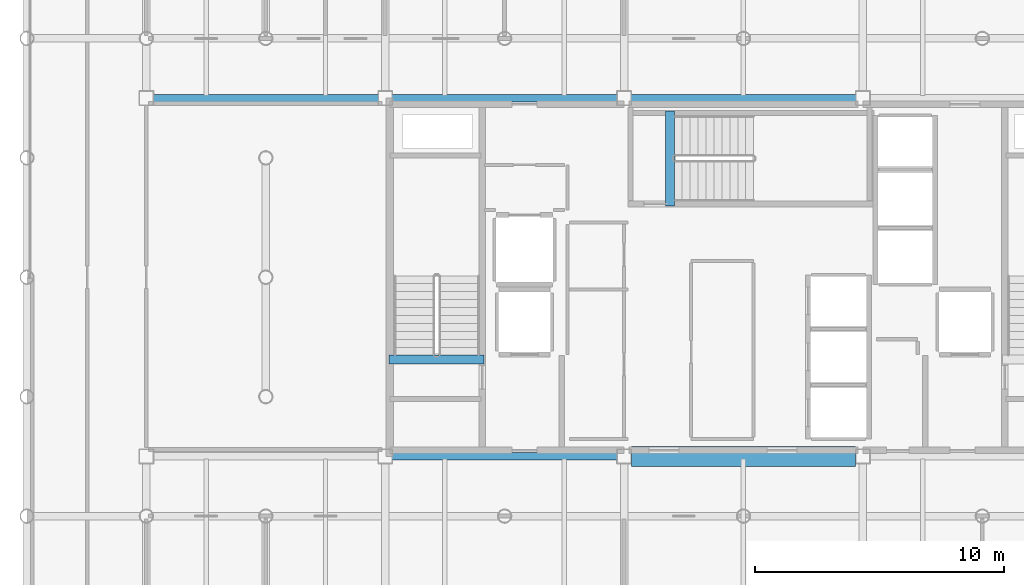
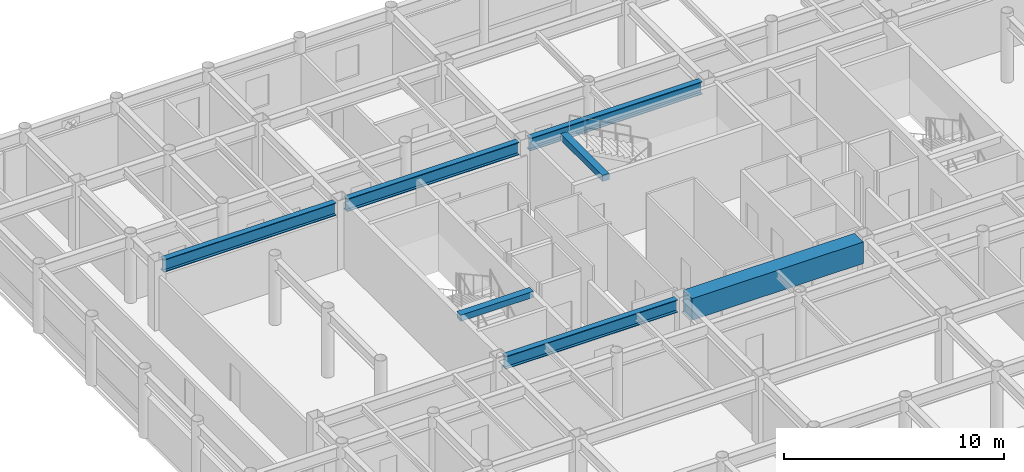
# One storey, part 7 of 21: 7 beams.
"""IFC4 building model written with IfcOpenShell, lengths in metres."""

from ifc_helpers import new_model, si_unit, direction, frame, origin, origin_2d, place, context, subcontext, project, spatial, rectangle, i_section, extrude, material, material_profile, profile_set, type_object, element, save


model = new_model("IFC4")

# Units and contexts
model_context = context("Model", 3, precision=1e-05, world=origin(), true_north=direction((0.0, 1.0)))
body_context = subcontext(model_context, "Body", "Model", "MODEL_VIEW")
ifc_project = project(units=[si_unit("LENGTHUNIT", "METRE"), si_unit("AREAUNIT", "SQUARE_METRE"), si_unit("VOLUMEUNIT", "CUBIC_METRE"), si_unit("PLANEANGLEUNIT", "RADIAN"), si_unit("MASSUNIT", "GRAM", prefix="KILO")], contexts=[model_context])

# Site, building, storey
site_placement = place(None, origin())
site = spatial("IfcSite", under=ifc_project, at=site_placement, CompositionType="ELEMENT")
building_placement = place(site_placement, origin())
building = spatial("IfcBuilding", under=site, at=building_placement, Name="Kallvorn Hotel Tower", CompositionType="ELEMENT")
storey_placement = place(building_placement, frame((0.0, 0.0, 214.60009765625)))
storey = spatial("IfcBuildingStorey", under=building, at=storey_placement, Name="L53", CompositionType="ELEMENT", Elevation=214.60009765625)

# Beams
ifc_material_1 = material(Name="Structural steel S355JR", Category="steel")
ifc_material_profile_1 = material_profile(ifc_material_1, i_section(OverallWidth=0.300048828125, OverallDepth=0.699951171875, WebThickness=0.01708984375, FlangeThickness=0.031982421875, at=origin_2d()), Name="HE 700 B")
ifc_profile_set_1 = profile_set([ifc_material_profile_1], Name="Structural steel S355JR")
beam_type_1 = type_object("IfcBeamType", Name="BM_HE700B", PredefinedType="BEAM", material=ifc_profile_set_1)
for number, where, z_axis, x_axis, name in (
    (1, (-14.125, -7.199951171875, 3.31982421875), (1.0, 0.0, 0.0), (0.0, 1.0, 0.0), "L54 Primary X-Girder 34"),
    (2, (-23.72509765625, 7.199951171875, 3.31982421875), (1.0, 0.0, 0.0), (0.0, 1.0, 0.0), "L54 Primary X-Girder 37"),
    (3, (-14.125, 7.199951171875, 3.31982421875), (1.0, 0.0, 0.0), (0.0, 1.0, 0.0), "L54 Primary X-Girder 38"),
):
    element("IfcBeam", number, at=place(storey_placement, frame(where, z_axis=z_axis, x_axis=x_axis)), inside=storey, type_object=beam_type_1, Name=name, PredefinedType="BEAM", context=body_context, shape_type="SweptSolid", body=[
        extrude(i_section(OverallWidth=0.300048828125, OverallDepth=0.699951171875, WebThickness=0.01708984375, FlangeThickness=0.031982421875, at=origin_2d()), origin(), (0.0, 0.0, 1.0), 9.050048828125),
    ])
beam_1_placement = place(storey_placement, frame((-4.52490234375, 7.199951171875, 3.31982421875), z_axis=(1.0, 0.0, 0.0), x_axis=(0.0, 1.0, 0.0)))
element("IfcBeam", 4, at=beam_1_placement, inside=storey, type_object=beam_type_1, Name="L54 Primary X-Girder 39", PredefinedType="BEAM", context=body_context, shape_type="SweptSolid", body=[
    extrude(i_section(OverallWidth=0.300048828125, OverallDepth=0.699951171875, WebThickness=0.01708984375, FlangeThickness=0.031982421875, at=origin_2d()), origin(), (0.0, 0.0, 1.0), 9.0498046875),
])
ifc_material_2 = material(Name="Concrete C50/60", Category="concrete")
ifc_material_profile_2 = material_profile(ifc_material_2, rectangle(XDim=0.360107421875, YDim=0.340087890625, at=origin_2d()), Name="RC 360x340")
ifc_profile_set_2 = profile_set([ifc_material_profile_2], Name="Concrete C50/60")
beam_type_2 = type_object("IfcBeamType", Name="BM_RC_400x360", PredefinedType="BEAM", material=ifc_profile_set_2)
beam_2_placement = place(storey_placement, frame((-10.419921875, -3.31005859375, 3.5), z_axis=(-1.0, 0.0, 0.0), x_axis=(0.0, -1.0, 0.0)))
element("IfcBeam", 5, at=beam_2_placement, inside=storey, type_object=beam_type_2, Name="L54 Stair ST1 Arrival Trimmer Beam", PredefinedType="BEAM", context=body_context, shape_type="SweptSolid", body=[
    extrude(rectangle(XDim=0.360107421875, YDim=0.340087890625, at=origin_2d()), origin(), (0.0, 0.0, 1.0), 3.820068359375),
])
beam_3_placement = place(storey_placement, frame((-2.9599609375, 2.8701171875, 3.5), z_axis=(0.0, 1.0, 0.0), x_axis=(-1.0, 0.0, 0.0)))
element("IfcBeam", 6, at=beam_3_placement, inside=storey, type_object=beam_type_2, Name="L54 Stair ST3 Arrival Trimmer Beam", PredefinedType="BEAM", context=body_context, shape_type="SweptSolid", body=[
    extrude(rectangle(XDim=0.360107421875, YDim=0.340087890625, at=origin_2d()), origin(), (0.0, 0.0, 1.0), 3.81982421875),
])
ifc_material_3 = material(Name="Concrete C50/60", Category="concrete")
ifc_material_profile_3 = material_profile(ifc_material_3, rectangle(XDim=0.800048828125, YDim=1.199951171875, at=origin_2d()), Name="RC 800x1200")
ifc_profile_set_3 = profile_set([ifc_material_profile_3], Name="Concrete C50/60")
beam_type_3 = type_object("IfcBeamType", Name="BM_RC_800x1200", PredefinedType="T_BEAM", material=ifc_profile_set_3)
beam_4_placement = place(storey_placement, frame((-4.5, -7.199951171875, 3.06982421875), z_axis=(1.0, 0.0, 0.0), x_axis=(0.0, 1.0, 0.0)))
element("IfcBeam", 7, at=beam_4_placement, inside=storey, type_object=beam_type_3, Name="L53 Core Coupling Beam South", PredefinedType="T_BEAM", context=body_context, shape_type="SweptSolid", body=[
    extrude(rectangle(XDim=0.800048828125, YDim=1.199951171875, at=origin_2d()), origin(), (0.0, 0.0, 1.0), 9.0),
])

save(model, "model.ifc")
